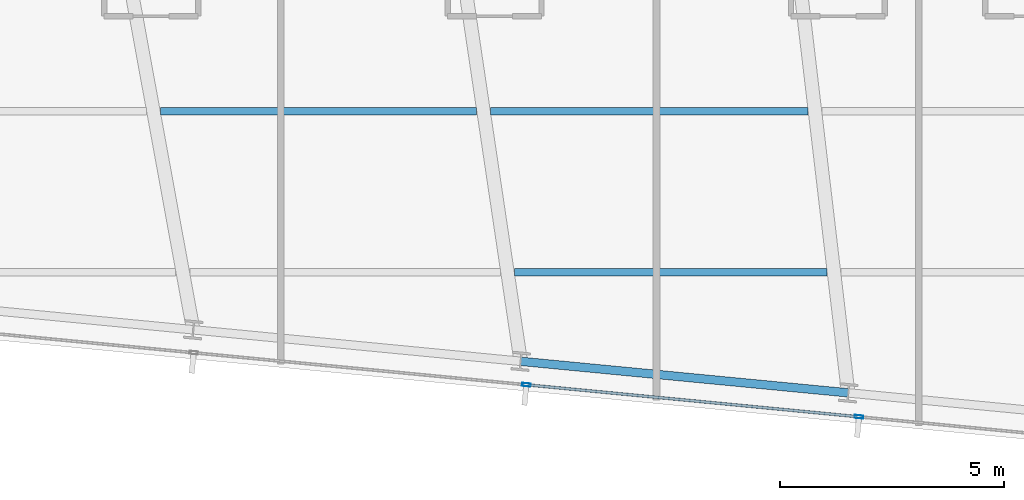
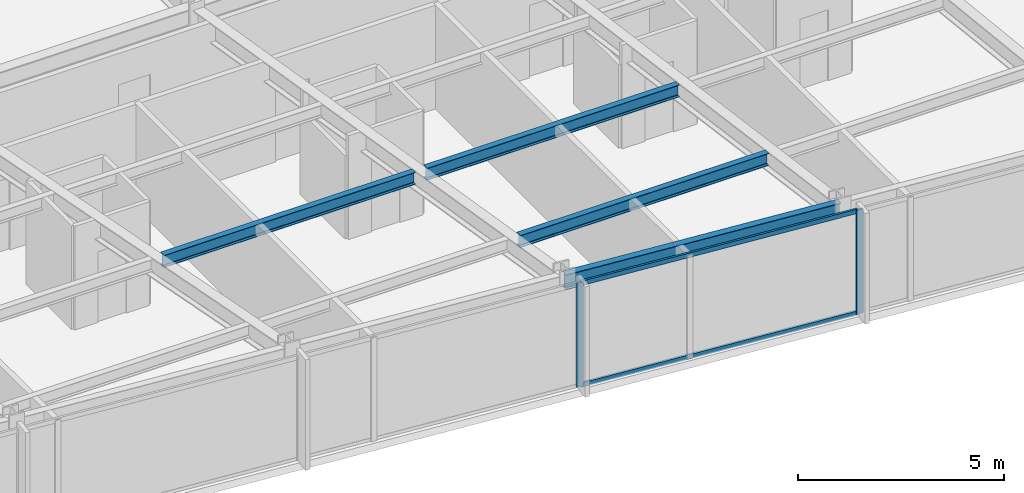
# One storey, part 12 of 37: 4 beams, 4 members, 1 element without a shape of its own.
"""IFC4 building model written with IfcOpenShell, lengths in metres."""

from ifc_helpers import new_model, si_unit, direction, frame, origin, origin_2d, place, context, subcontext, project, spatial, hollow_rectangle, i_section, extrude, material, material_profile, profile_set, type_object, element, aggregate, save


model = new_model("IFC4")

# Units and contexts
model_context = context("Model", 3, precision=1e-05, world=origin(), true_north=direction((0.0, 1.0)))
body_context = subcontext(model_context, "Body", "Model", "MODEL_VIEW")
ifc_project = project(units=[si_unit("LENGTHUNIT", "METRE"), si_unit("AREAUNIT", "SQUARE_METRE"), si_unit("VOLUMEUNIT", "CUBIC_METRE"), si_unit("PLANEANGLEUNIT", "RADIAN"), si_unit("MASSUNIT", "GRAM", prefix="KILO")], contexts=[model_context])

# Site, building, storey
site_placement = place(None, origin())
site = spatial("IfcSite", under=ifc_project, at=site_placement, CompositionType="ELEMENT")
building_placement = place(site_placement, origin())
building = spatial("IfcBuilding", under=site, at=building_placement, Name="Yelkora Congress Tower", CompositionType="ELEMENT")
storey_placement = place(building_placement, frame((0.0, 0.0, 168.800048828125)))
storey = spatial("IfcBuildingStorey", under=building, at=storey_placement, Name="L46", CompositionType="ELEMENT", Elevation=168.800048828125)

# Beams
ifc_material_1 = material(Name="Steel S355J2", Category="steel")
ifc_material_profile_1 = material_profile(ifc_material_1, i_section(OverallWidth=0.169921875, OverallDepth=0.360107421875, WebThickness=0.008056640625, FlangeThickness=0.0126953125, FilletRadius=0.01806640625, at=origin_2d()), Name="IPE 360")
ifc_profile_set_1 = profile_set([ifc_material_profile_1], Name="Steel S355J2")
beam_type_1 = type_object("IfcBeamType", Name="BM-JOIST-IPE360", PredefinedType="JOIST", material=ifc_profile_set_1)
beam_1_placement = place(storey_placement, frame((40.39990234375, 12.8212890625, 2.89990234375), z_axis=(1.0, 0.0, 0.0), x_axis=(0.0, 1.0, 0.0)))
element("IfcBeam", 1, at=beam_1_placement, inside=storey, type_object=beam_type_1, Name="L46 Composite Floor Joist 3", PredefinedType="JOIST", context=body_context, shape_type="SweptSolid", body=[
    extrude(i_section(OverallWidth=0.169921875, OverallDepth=0.360107421875, WebThickness=0.008056640625, FlangeThickness=0.0126953125, FilletRadius=0.01806640625, at=origin_2d()), origin(), (0.0, 0.0, 1.0), 6.98095703125),
])
beam_2_placement = place(storey_placement, frame((32.481201171875, 16.421142578125, 2.89990234375), z_axis=(1.0, 0.0, 0.0), x_axis=(0.0, 1.0, 0.0)))
element("IfcBeam", 2, at=beam_2_placement, inside=storey, type_object=beam_type_1, Name="L46 Composite Floor Joist 9", PredefinedType="JOIST", context=body_context, shape_type="SweptSolid", body=[
    extrude(i_section(OverallWidth=0.169921875, OverallDepth=0.360107421875, WebThickness=0.008056640625, FlangeThickness=0.0126953125, FilletRadius=0.01806640625, at=origin_2d()), origin(), (0.0, 0.0, 1.0), 7.063720703125),
])
beam_3_placement = place(storey_placement, frame((39.86474609375, 16.421142578125, 2.89990234375), z_axis=(1.0, 0.0, 0.0), x_axis=(0.0, 1.0, 0.0)))
element("IfcBeam", 3, at=beam_3_placement, inside=storey, type_object=beam_type_1, Name="L46 Composite Floor Joist 10", PredefinedType="JOIST", context=body_context, shape_type="SweptSolid", body=[
    extrude(i_section(OverallWidth=0.169921875, OverallDepth=0.360107421875, WebThickness=0.008056640625, FlangeThickness=0.0126953125, FilletRadius=0.01806640625, at=origin_2d()), origin(), (0.0, 0.0, 1.0), 7.09130859375),
])
ifc_material_profile_2 = material_profile(ifc_material_1, i_section(OverallWidth=0.18994140625, OverallDepth=0.449951171875, WebThickness=0.009521484375, FlangeThickness=0.0146484375, FilletRadius=0.02099609375, at=origin_2d()), Name="IPE 450")
ifc_profile_set_2 = profile_set([ifc_material_profile_2], Name="Steel S355J2")
beam_type_2 = type_object("IfcBeamType", Name="BM-SPAN-IPE450", PredefinedType="SPANDREL", material=ifc_profile_set_2)
beam_4_placement = place(storey_placement, frame((40.53564453125, 10.83154296875, 2.85498046875), z_axis=(0.995397104697, -0.095836339457, 0.0), x_axis=(0.095836339457, 0.995397104697, 0.0)))
element("IfcBeam", 4, at=beam_4_placement, inside=storey, type_object=beam_type_2, Name="L46 Perimeter Beam 7", PredefinedType="SPANDREL", context=body_context, shape_type="SweptSolid", body=[
    extrude(i_section(OverallWidth=0.18994140625, OverallDepth=0.449951171875, WebThickness=0.009521484375, FlangeThickness=0.0146484375, FilletRadius=0.02099609375, at=origin_2d()), origin(), (0.0, 0.0, 1.0), 7.357177734375),
])

# Curtain wall, members
ifc_material_2 = material(Name="Anodised aluminium and insulated glass", Category="aluminium")
curtain_wall_type = type_object("IfcCurtainWallType", Name="CW-SYS-B3", PredefinedType="NOTDEFINED", material=ifc_material_2)
curtain_wall_placement = place(storey_placement, origin())
curtain_wall = element("IfcCurtainWall", 5, at=curtain_wall_placement, inside=storey, type_object=curtain_wall_type, Name="L46 Unitised Curtain Wall 20", PredefinedType="NOTDEFINED")
ifc_material_3 = material(Name="Anodised aluminium 6063-T6", Category="aluminium")
ifc_material_profile_3 = material_profile(ifc_material_3, hollow_rectangle(XDim=0.070068359375, YDim=0.18994140625, WallThickness=0.00390625, at=origin_2d()), Name="ALU 70x190x4")
ifc_profile_set_3 = profile_set([ifc_material_profile_3], Name="Anodised aluminium 6063-T6")
member_type_1 = type_object("IfcMemberType", Name="MEM-ML-B3", PredefinedType="MULLION", material=ifc_profile_set_3)
member_1_placement = place(storey_placement, frame((48.1015625, 9.590576171875, 0.0), z_axis=(0.0, 0.0, 1.0), x_axis=(-0.095844680679, -0.995396301573, 0.0)))
member_1 = element("IfcMember", 6, at=member_1_placement, type_object=member_type_1, Name="CW-B3 mullion 2", PredefinedType="MULLION", context=body_context, shape_type="SweptSolid", body=[
    extrude(hollow_rectangle(XDim=0.070068359375, YDim=0.18994140625, WallThickness=0.00390625, at=origin_2d()), origin(), (0.0, 0.0, 1.0), 3.079833984375),
])
member_2_placement = place(storey_placement, frame((40.66162109375, 10.30712890625, 0.0), z_axis=(0.0, 0.0, 1.0), x_axis=(-0.095844680679, -0.995396301573, 0.0)))
member_2 = element("IfcMember", 7, at=member_2_placement, type_object=member_type_1, Name="CW-B3 mullion 3", PredefinedType="MULLION", context=body_context, shape_type="SweptSolid", body=[
    extrude(hollow_rectangle(XDim=0.070068359375, YDim=0.18994140625, WallThickness=0.00390625, at=origin_2d()), origin(), (0.0, 0.0, 1.0), 3.079833984375),
])
ifc_material_profile_4 = material_profile(ifc_material_3, hollow_rectangle(XDim=0.06005859375, YDim=0.1298828125, WallThickness=0.00390625, at=origin_2d()), Name="ALU 60x130x4")
ifc_profile_set_4 = profile_set([ifc_material_profile_4], Name="Anodised aluminium 6063-T6")
member_type_2 = type_object("IfcMemberType", Name="MEM-TR-B3", PredefinedType="USERDEFINED", material=ifc_profile_set_4)
member_3_placement = place(storey_placement, frame((48.066650390625, 9.593994140625, 0.030029296875), z_axis=(-0.99539548672, 0.095853142967, 0.0), x_axis=(-0.095853142967, -0.99539548672, 0.0)))
member_3 = element("IfcMember", 8, at=member_3_placement, type_object=member_type_2, Name="CW-B3 transom 2.1", ObjectType="TRANSOM", PredefinedType="USERDEFINED", context=body_context, shape_type="SweptSolid", body=[
    extrude(hollow_rectangle(XDim=0.06005859375, YDim=0.1298828125, WallThickness=0.00390625, at=origin_2d()), origin(), (0.0, 0.0, 1.0), 7.404296875),
])
member_4_placement = place(storey_placement, frame((48.066650390625, 9.593994140625, 3.050048828125), z_axis=(-0.99539548672, 0.095853142967, 0.0), x_axis=(-0.095853142967, -0.99539548672, 0.0)))
member_4 = element("IfcMember", 9, at=member_4_placement, type_object=member_type_2, Name="CW-B3 transom 2.2", ObjectType="TRANSOM", PredefinedType="USERDEFINED", context=body_context, shape_type="SweptSolid", body=[
    extrude(hollow_rectangle(XDim=0.06005859375, YDim=0.1298828125, WallThickness=0.00390625, at=origin_2d()), origin(), (0.0, 0.0, 1.0), 7.404296875),
])
aggregate(curtain_wall, [member_1, member_2, member_3, member_4])

save(model, "model.ifc")
